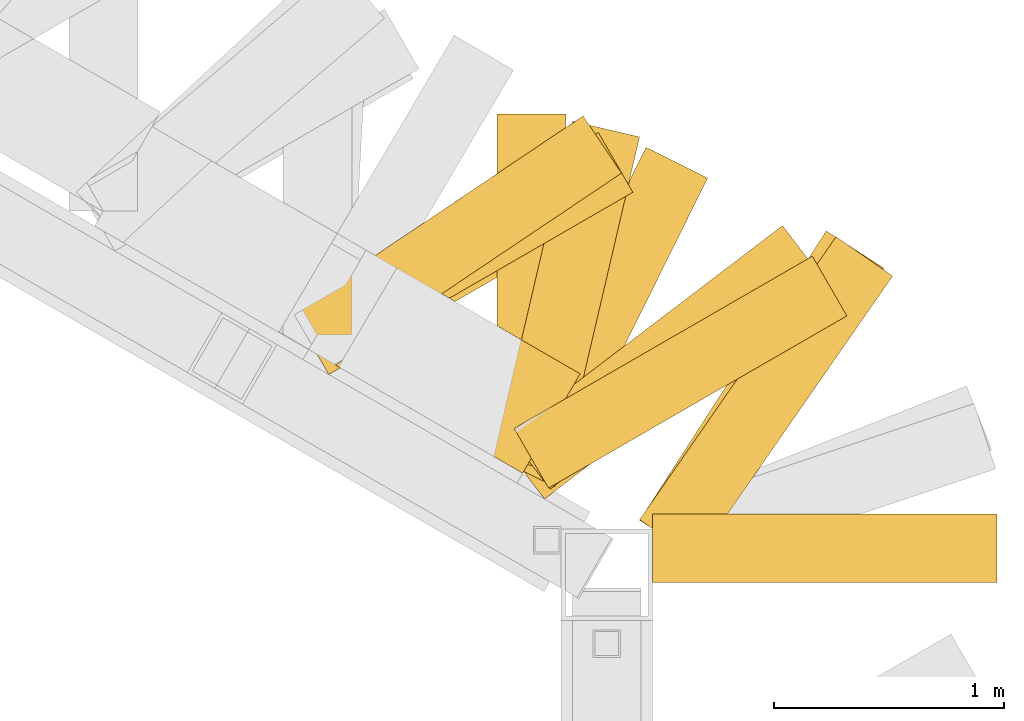
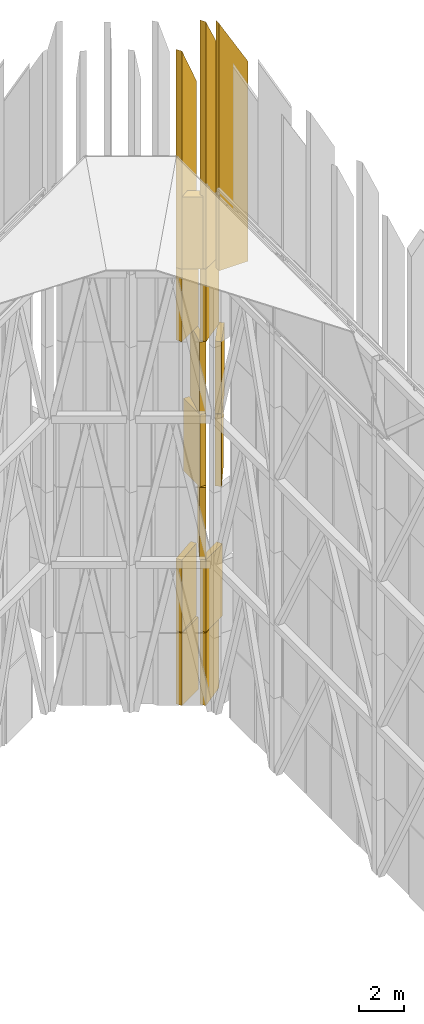
# One storey, part 45 of 45: 15 shading devices.
"""IFC4 building model written with IfcOpenShell, lengths in metres."""

from ifc_helpers import new_model, si_unit, direction, frame, frame_2d, origin, place, context, subcontext, project, spatial, polyline, rectangle, outline, extrude, material, layer, layer_set, type_object, element, save


model = new_model("IFC4")

# Units and contexts
model_context = context("Model", 3, precision=1e-05, world=origin(), true_north=direction((0.0, 1.0)))
body_context = subcontext(model_context, "Body", "Model", "MODEL_VIEW")
ifc_project = project(units=[si_unit("LENGTHUNIT", "METRE"), si_unit("AREAUNIT", "SQUARE_METRE"), si_unit("VOLUMEUNIT", "CUBIC_METRE"), si_unit("PLANEANGLEUNIT", "RADIAN"), si_unit("MASSUNIT", "GRAM", prefix="KILO")], contexts=[model_context])

# Site, building, storey
site_placement = place(None, origin())
site = spatial("IfcSite", under=ifc_project, at=site_placement, CompositionType="ELEMENT")
building_placement = place(site_placement, origin())
building = spatial("IfcBuilding", under=site, at=building_placement, Name="Jabali Bay Hotel Tower and Convention Centre", CompositionType="ELEMENT")
storey_placement = place(building_placement, frame((0.0, 0.0, 322.39990234375)))
storey = spatial("IfcBuildingStorey", under=building, at=storey_placement, Name="Crown", CompositionType="ELEMENT", Elevation=322.39990234375)

# Shading devices
ifc_material_1 = material(Name="Aluminium 6063", Category="aluminium")
shading_device_type_1 = type_object("IfcShadingDeviceType", Name="Louvre bank", PredefinedType="USERDEFINED", material=ifc_material_1)
shading_device_1_placement = place(storey_placement, frame((0.0, 0.0, 23.92431640625)))
element("IfcShadingDevice", 1, at=shading_device_1_placement, inside=storey, type_object=shading_device_type_1, Name="Louvre 7.1.21", ObjectType="LOUVRE", PredefinedType="USERDEFINED", context=body_context, shape_type="SweptSolid", body=[
    extrude(outline(polyline([(91.967529296875, 104.81494140625), (92.78271484375, 104.34423828125), (92.8203125, 104.4091796875), (92.745361328125, 104.5390625), (92.97021484375, 104.6689453125), (93.03271484375, 104.777099609375), (92.429931640625, 105.125244140625), (91.967529296875, 104.81494140625)])), origin(), (0.0, 0.0, 1.0), 3.9658203125),
])
ifc_material_2 = material(Name="Precast concrete C60", Category="concrete")
ifc_layer = layer(ifc_material_2, 0.300048828125)
ifc_layer_set = layer_set([ifc_layer], Name="Precast concrete C60")
shading_device_type_2 = type_object("IfcShadingDeviceType", Name="Precast fin 3966 x 1500", PredefinedType="USERDEFINED", material=ifc_layer_set)
for number, where, z_axis, x_axis, name in (
    (2, (92.786865234375, 104.35107421875, 0.010009765625), (0.0, 0.0, 1.0), (0.795603562192, 0.605817606072, 0.0), "Fin Crown:0 021"),
    (3, (91.86328125, 104.90380859375, 0.010009765625), (0.0, 0.0, 1.0), (0.866031096941, 0.499990139034, 0.0), "Fin Crown:0 022"),
):
    element("IfcShadingDevice", number, at=place(storey_placement, frame(where, z_axis=z_axis, x_axis=x_axis)), inside=storey, type_object=shading_device_type_2, Name=name, ObjectType="FIN", PredefinedType="USERDEFINED", context=body_context, shape_type="SweptSolid", body=[
        extrude(rectangle(XDim=1.5, YDim=0.300048828125, at=frame_2d((0.75, 0.0))), origin(), (0.0, 0.0, 1.0), 3.9658203125),
    ])
shading_device_2_placement = place(storey_placement, frame((92.8203125, 104.4091796875, 3.995849609375), z_axis=(0.0, 0.0, 1.0), x_axis=(0.866031096941, 0.499990139034, 0.0)))
element("IfcShadingDevice", 4, at=shading_device_2_placement, inside=storey, type_object=shading_device_type_2, Name="Fin Crown:1 021", ObjectType="FIN", PredefinedType="USERDEFINED", context=body_context, shape_type="SweptSolid", body=[
    extrude(rectangle(XDim=1.5, YDim=0.300048828125, at=frame_2d((0.75, 0.0))), origin(), (0.0, 0.0, 1.0), 3.965576171875),
])
shading_device_3_placement = place(storey_placement, frame((91.884033203125, 104.939453125, 3.995849609375), z_axis=(0.0, 0.0, 1.0), x_axis=(0.830368545297, 0.55721457176, 0.0)))
element("IfcShadingDevice", 5, at=shading_device_3_placement, inside=storey, type_object=shading_device_type_2, Name="Fin Crown:1 022", ObjectType="FIN", PredefinedType="USERDEFINED", context=body_context, shape_type="SweptSolid", body=[
    extrude(rectangle(XDim=1.499755859375, YDim=0.300048828125, at=frame_2d((0.75, 0.0))), origin(), (0.0, 0.0, 1.0), 3.965576171875),
])
shading_device_4_placement = place(storey_placement, frame((92.78759765625, 104.352294921875, 7.9814453125), z_axis=(0.0, 0.0, 1.0), x_axis=(0.444281866052, 0.895887059566, 0.0)))
element("IfcShadingDevice", 6, at=shading_device_4_placement, inside=storey, type_object=shading_device_type_2, Name="Fin Crown:2 021", ObjectType="FIN", PredefinedType="USERDEFINED", context=body_context, shape_type="SweptSolid", body=[
    extrude(rectangle(XDim=1.500244140625, YDim=0.300048828125, at=frame_2d((0.75, 0.0))), origin(), (0.0, 0.0, 1.0), 3.9658203125),
])
shading_device_5_placement = place(storey_placement, frame((92.8203125, 104.4091796875, 11.96728515625), z_axis=(0.0, 0.0, 1.0), x_axis=(0.0, 1.0, 0.0)))
element("IfcShadingDevice", 7, at=shading_device_5_placement, inside=storey, type_object=shading_device_type_2, Name="Fin Crown:3 021", ObjectType="FIN", PredefinedType="USERDEFINED", context=body_context, shape_type="SweptSolid", body=[
    extrude(rectangle(XDim=1.5, YDim=0.300048828125, at=frame_2d((0.75, 0.0))), origin(), (0.0, 0.0, 1.0), 3.965576171875),
])
shading_device_6_placement = place(storey_placement, frame((93.41796875, 104.057373046875, 11.96728515625), z_axis=(0.0, 0.0, 1.0), x_axis=(0.541900677943, 0.840442535362, 0.0)))
element("IfcShadingDevice", 8, at=shading_device_6_placement, inside=storey, type_object=shading_device_type_2, Name="Fin Crown:3 085", ObjectType="FIN", PredefinedType="USERDEFINED", context=body_context, shape_type="SweptSolid", body=[
    extrude(rectangle(XDim=1.499755859375, YDim=0.300048828125, at=frame_2d((0.75, 0.0))), origin(), (0.0, 0.0, 1.0), 3.965576171875),
])
for number, where, z_axis, x_axis, name in (
    (9, (92.804443359375, 104.3818359375, 15.952880859375), (0.0, 0.0, 1.0), (0.227533164599, 0.973770331756, 0.0), "Fin Crown:4 021"),
    (10, (93.415283203125, 104.055908203125, 15.952880859375), (0.0, 0.0, 1.0), (0.570191415564, 0.821511868214, 0.0), "Fin Crown:4 085"),
):
    element("IfcShadingDevice", number, at=place(storey_placement, frame(where, z_axis=z_axis, x_axis=x_axis)), inside=storey, type_object=shading_device_type_2, Name=name, ObjectType="FIN", PredefinedType="USERDEFINED", context=body_context, shape_type="SweptSolid", body=[
        extrude(rectangle(XDim=1.5, YDim=0.300048828125, at=frame_2d((0.75, 0.0))), origin(), (0.0, 0.0, 1.0), 3.9658203125),
    ])
for number, where, z_axis, x_axis, name in (
    (11, (92.811767578125, 104.394287109375, 19.938720703125), (0.0, 0.0, 1.0), (0.795603562192, 0.605817606072, 0.0), "Fin Crown:5 021"),
    (12, (91.888427734375, 104.947265625, 19.938720703125), (0.0, 0.0, 1.0), (0.866031096941, 0.499990139034, 0.0), "Fin Crown:5 022"),
):
    element("IfcShadingDevice", number, at=place(storey_placement, frame(where, z_axis=z_axis, x_axis=x_axis)), inside=storey, type_object=shading_device_type_2, Name=name, ObjectType="FIN", PredefinedType="USERDEFINED", context=body_context, shape_type="SweptSolid", body=[
        extrude(rectangle(XDim=1.5, YDim=0.300048828125, at=frame_2d((0.75, 0.0))), origin(), (0.0, 0.0, 1.0), 3.965576171875),
    ])
shading_device_7_placement = place(storey_placement, frame((92.8203125, 104.4091796875, 23.92431640625), z_axis=(0.0, 0.0, 1.0), x_axis=(0.866031096941, 0.499990139034, 0.0)))
element("IfcShadingDevice", 13, at=shading_device_7_placement, inside=storey, type_object=shading_device_type_2, Name="Fin Crown:6 021", ObjectType="FIN", PredefinedType="USERDEFINED", context=body_context, shape_type="SweptSolid", body=[
    extrude(outline(polyline([(0.0, 0.0), (1.5, 0.0), (1.5, 10.9677734375), (0.0, 13.565673828125), (0.0, 0.0)])), frame((0.0, 0.14990234375, 0.0), z_axis=(0.0, -1.0, 0.0), x_axis=(1.0, 0.0, 0.0)), (0.0, 0.0, 1.0), 0.300048828125),
])
shading_device_8_placement = place(storey_placement, frame((91.884033203125, 104.939453125, 23.92431640625), z_axis=(0.0, 0.0, 1.0), x_axis=(0.830368545297, 0.55721457176, 0.0)))
element("IfcShadingDevice", 14, at=shading_device_8_placement, inside=storey, type_object=shading_device_type_2, Name="Fin Crown:6 022", ObjectType="FIN", PredefinedType="USERDEFINED", context=body_context, shape_type="SweptSolid", body=[
    extrude(outline(polyline([(0.0, 0.0), (1.499755859375, 0.0), (1.5, 9.36767578125), (0.0, 11.9658203125), (0.0, 0.0)])), frame((0.0, 0.14990234375, 0.0), z_axis=(0.0, -1.0, 0.0), x_axis=(1.0, 0.0, 0.0)), (0.0, 0.0, 1.0), 0.300048828125),
])
shading_device_9_placement = place(storey_placement, frame((93.348876953125, 104.017333984375, 23.92431640625), z_axis=(0.0, 0.0, 1.0), x_axis=(1.0, 0.0, 0.0)))
element("IfcShadingDevice", 15, at=shading_device_9_placement, inside=storey, type_object=shading_device_type_2, Name="Fin Crown:6 085", ObjectType="FIN", PredefinedType="USERDEFINED", context=body_context, shape_type="SweptSolid", body=[
    extrude(outline(polyline([(0.0, 0.0), (1.5, 0.0), (1.5, 10.9677734375), (0.0, 13.565673828125), (0.0, 0.0)])), frame((0.0, 0.14990234375, 0.0), z_axis=(0.0, -1.0, 0.0), x_axis=(1.0, 0.0, 0.0)), (0.0, 0.0, 1.0), 0.300048828125),
])

save(model, "model.ifc")
